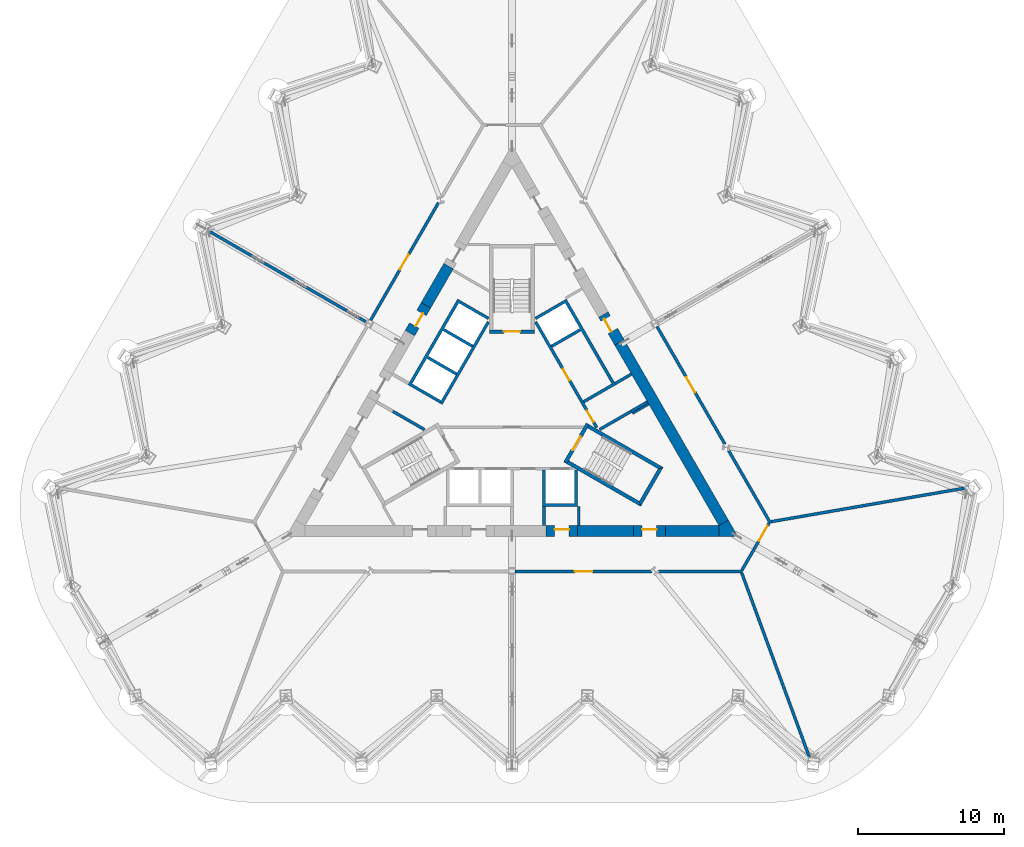
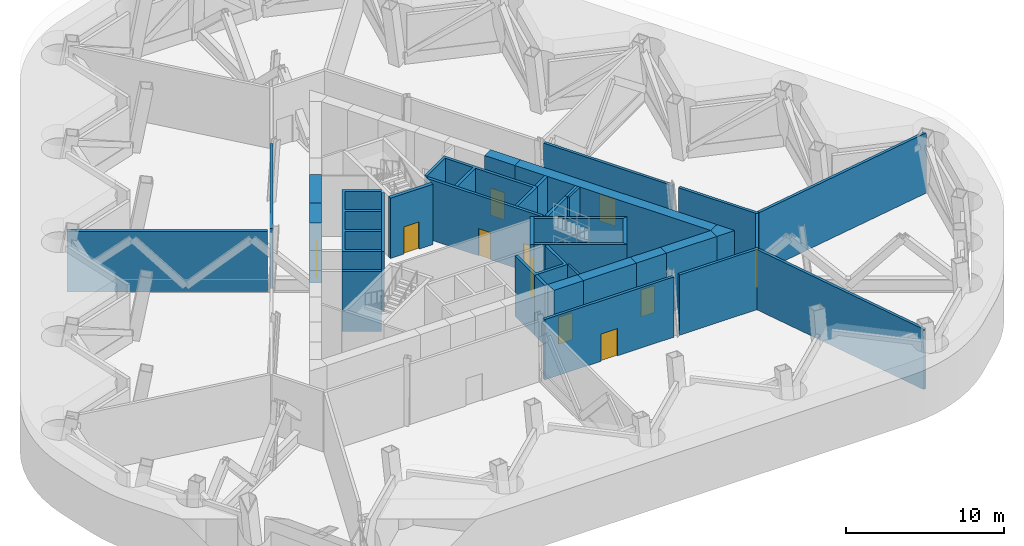
# One storey, part 6 of 13: 35 walls, 12 doors, 12 openings.
"""IFC4 building model written with IfcOpenShell, lengths in metres."""

from ifc_helpers import new_model, si_unit, direction, frame, frame_2d, origin, place, context, subcontext, project, spatial, polyline, rectangle, outline, extrude, material, layer, layer_set, type_object, element, fill, save


model = new_model("IFC4")

# Units and contexts
model_context = context("Model", 3, precision=1e-05, world=origin(), true_north=direction((0.0, 1.0)))
body_context = subcontext(model_context, "Body", "Model", "MODEL_VIEW")
ifc_project = project(units=[si_unit("LENGTHUNIT", "METRE"), si_unit("AREAUNIT", "SQUARE_METRE"), si_unit("VOLUMEUNIT", "CUBIC_METRE"), si_unit("PLANEANGLEUNIT", "RADIAN"), si_unit("MASSUNIT", "GRAM", prefix="KILO")], contexts=[model_context])

# Site, building, storey
site_placement = place(None, origin())
site = spatial("IfcSite", under=ifc_project, at=site_placement, CompositionType="ELEMENT")
building_placement = place(site_placement, origin())
building = spatial("IfcBuilding", under=site, at=building_placement, Name="Cormorant Prow Tower", CompositionType="ELEMENT")
storey_placement = place(building_placement, frame((0.0, 0.0, 226.0)))
storey = spatial("IfcBuildingStorey", under=building, at=storey_placement, Name="L49", CompositionType="ELEMENT", Elevation=226.0)

# Walls
ifc_material_1 = material(Name="Gypsum board partition")
ifc_layer_1 = layer(ifc_material_1, 0.14990234375)
ifc_layer_set_1 = layer_set([ifc_layer_1], Name="Gypsum board partition")
wall_type_1 = type_object("IfcWallType", Name="Core partition 150", PredefinedType="PARTITIONING", material=ifc_layer_set_1)
for number, where, z_axis, x_axis, name in (
    (1, (4.574951171875, -6.906005859375, 0.0), (0.0, 0.0, 1.0), (0.0, -1.0, 0.0), "Service room partition"),
    (2, (8.268310546875, -0.509033203125, 0.0), (0.0, 0.0, 1.0), (0.866003189247, 0.500038474733, 0.0), "Service room partition"),
):
    element("IfcWall", number, at=place(storey_placement, frame(where, z_axis=z_axis, x_axis=x_axis)), inside=storey, type_object=wall_type_1, Name=name, PredefinedType="PARTITIONING", context=body_context, shape_type="SweptSolid", body=[
        extrude(rectangle(XDim=1.29296875, YDim=0.14990234375, at=frame_2d((0.646484375, 0.0))), origin(), (0.0, 0.0, 1.0), 4.64990234375),
    ])
ifc_material_2 = material(Name="Concrete 8000 psi", Category="concrete")
ifc_layer_2 = layer(ifc_material_2, 0.75)
ifc_layer_set_2 = layer_set([ifc_layer_2], Name="Concrete 8000 psi")
wall_type_2 = type_object("IfcWallType", Name="Core shear wall 750", PredefinedType="SHEAR", material=ifc_layer_set_2)
wall_1_placement = place(storey_placement, frame((4.47998046875, -8.573974609375, 0.0), z_axis=(0.0, 0.0, 1.0), x_axis=(1.0, 0.0, 0.0)))
element("IfcWall", 3, at=wall_1_placement, inside=storey, type_object=wall_type_2, Name="Core wall", PredefinedType="SHEAR", context=body_context, shape_type="SweptSolid", body=[
    extrude(rectangle(XDim=3.845458984375, YDim=0.75, at=frame_2d((1.9228515625, 0.0))), origin(), (0.0, 0.0, 1.0), 4.64990234375),
])
wall_2_placement = place(storey_placement, frame((10.525390625, -8.573974609375, 0.0), z_axis=(0.0, 0.0, 1.0), x_axis=(1.0, 0.0, 0.0)))
element("IfcWall", 4, at=wall_2_placement, inside=storey, type_object=wall_type_2, Name="Core wall", PredefinedType="SHEAR", context=body_context, shape_type="SweptSolid", body=[
    extrude(rectangle(XDim=3.675537109375, YDim=0.75, at=frame_2d((1.837890625, 0.0))), origin(), (0.0, 0.0, 1.0), 4.64990234375),
])
wall_3_placement = place(storey_placement, frame((14.525634765625, -8.011474609375, 0.0), z_axis=(0.0, 0.0, 1.0), x_axis=(-0.499994855372, 0.866028374016, 0.0)))
element("IfcWall", 5, at=wall_3_placement, inside=storey, type_object=wall_type_2, Name="Core wall", PredefinedType="SHEAR", context=body_context, shape_type="SweptSolid", body=[
    extrude(rectangle(XDim=14.301025390625, YDim=0.75, at=frame_2d((7.150390625, 0.0))), origin(), (0.0, 0.0, 1.0), 4.64990234375),
])
wall_4_placement = place(storey_placement, frame((-4.3525390625, 9.609130859375, 0.0), z_axis=(0.0, 0.0, 1.0), x_axis=(-0.500017123375, -0.866015517374, 0.0)))
element("IfcWall", 6, at=wall_4_placement, inside=storey, type_object=wall_type_2, Name="Core wall", PredefinedType="SHEAR", context=body_context, shape_type="SweptSolid", body=[
    extrude(rectangle(XDim=3.10791015625, YDim=0.75, at=frame_2d((1.553955078125, 0.0))), origin(), (0.0, 0.0, 1.0), 4.64990234375),
])
wall_5_placement = place(storey_placement, origin())
element("IfcWall", 7, at=wall_5_placement, inside=storey, type_object=wall_type_2, Name="Core wall corner", PredefinedType="SHEAR", context=body_context, shape_type="SweptSolid", body=[
    extrude(outline(polyline([(14.200927734375, -8.948974609375), (14.200927734375, -8.198974609375), (14.8505859375, -7.823974609375), (15.5, -8.948974609375), (14.200927734375, -8.948974609375)])), origin(), (0.0, 0.0, 1.0), 4.64990234375),
])

# Wall, opening, door
wall_6_placement = place(storey_placement, frame((2.320068359375, -8.573974609375, 0.0), z_axis=(0.0, 0.0, 1.0), x_axis=(1.0, 0.0, 0.0)))
wall_6 = element("IfcWall", 8, at=wall_6_placement, inside=storey, type_object=wall_type_2, Name="Core wall door panel", PredefinedType="SHEAR", context=body_context, shape_type="SweptSolid", body=[
    extrude(rectangle(XDim=2.159912109375, YDim=0.75, at=frame_2d((1.080078125, 0.0))), origin(), (0.0, 0.0, 1.0), 4.64990234375),
])
opening_1_placement = place(wall_6_placement, frame((0.60009765625, 0.0, 0.0)))
opening_1 = element("IfcOpeningElement", 9, at=opening_1_placement, cuts=wall_6, Name="Opening L49-C12", PredefinedType="OPENING", context=body_context, shape_type="SweptSolid", body=[
    extrude(rectangle(XDim=1.0, YDim=2.10009765625, at=frame_2d((0.5, 1.050048828125))), frame((0.0, 0.385009765625, 0.0), z_axis=(0.0, -1.0, 0.0), x_axis=(1.0, 0.0, 0.0)), (0.0, 0.0, 1.0), 0.77001953125),
])
ifc_material_3 = material(Name="Painted steel", Category="steel")
door_type_1 = type_object("IfcDoorType", Name="Service door 1000x2100", OperationType="NOTDEFINED", PredefinedType="DOOR", material=ifc_material_3)
door_1_placement = place(opening_1_placement, origin())
door_1 = element("IfcDoor", 10, at=door_1_placement, inside=storey, type_object=door_type_1, Name="Core door, Telecom plant room", OperationType="SINGLE_SWING_LEFT", OverallHeight=2.10009765625, OverallWidth=1.0, PredefinedType="DOOR", context=body_context, shape_type="SweptSolid", body=[
    extrude(rectangle(XDim=1.0, YDim=2.10009765625, at=frame_2d((0.5, 1.050048828125))), frame((0.0, 0.1298828125, 0.0), z_axis=(0.0, -1.0, 0.0), x_axis=(1.0, 0.0, 0.0)), (0.0, 0.0, 1.0), 0.050048828125),
])
fill(opening_1, door_1)

wall_7_placement = place(storey_placement, frame((8.325439453125, -8.573974609375, 0.0), z_axis=(0.0, 0.0, 1.0), x_axis=(1.0, 0.0, 0.0)))
wall_7 = element("IfcWall", 11, at=wall_7_placement, inside=storey, type_object=wall_type_2, Name="Core wall door panel", PredefinedType="SHEAR", context=body_context, shape_type="SweptSolid", body=[
    extrude(rectangle(XDim=2.199951171875, YDim=0.75, at=frame_2d((1.10009765625, 0.0))), origin(), (0.0, 0.0, 1.0), 4.64990234375),
])
opening_2_placement = place(wall_7_placement, frame((0.60009765625, 0.0, 0.0)))
opening_2 = element("IfcOpeningElement", 12, at=opening_2_placement, cuts=wall_7, Name="Opening L49-C14", PredefinedType="OPENING", context=body_context, shape_type="SweptSolid", body=[
    extrude(rectangle(XDim=1.0, YDim=2.10009765625, at=frame_2d((0.5, 1.050048828125))), frame((0.0, 0.385009765625, 0.0), z_axis=(0.0, -1.0, 0.0), x_axis=(1.0, 0.0, 0.0)), (0.0, 0.0, 1.0), 0.77001953125),
])
door_2_placement = place(opening_2_placement, origin())
door_2 = element("IfcDoor", 13, at=door_2_placement, inside=storey, type_object=door_type_1, Name="Core door, Plant cleaners store", OperationType="SINGLE_SWING_RIGHT", OverallHeight=2.10009765625, OverallWidth=1.0, PredefinedType="DOOR", context=body_context, shape_type="SweptSolid", body=[
    extrude(rectangle(XDim=1.0, YDim=2.10009765625, at=frame_2d((0.5, 1.050048828125))), frame((0.0, 0.1298828125, 0.0), z_axis=(0.0, -1.0, 0.0), x_axis=(1.0, 0.0, 0.0)), (0.0, 0.0, 1.0), 0.050048828125),
])
fill(opening_2, door_2)

wall_8_placement = place(storey_placement, frame((7.375244140625, 4.37353515625, 0.0), z_axis=(0.0, 0.0, 1.0), x_axis=(-0.499946605688, 0.86605622881, 0.0)))
wall_8 = element("IfcWall", 14, at=wall_8_placement, inside=storey, type_object=wall_type_2, Name="Core wall door panel", PredefinedType="SHEAR", context=body_context, shape_type="SweptSolid", body=[
    extrude(rectangle(XDim=2.199951171875, YDim=0.75, at=frame_2d((1.10009765625, 0.0))), origin(), (0.0, 0.0, 1.0), 4.64990234375),
])
opening_3_placement = place(wall_8_placement, frame((0.89990234375, 0.0, 0.0)))
opening_3 = element("IfcOpeningElement", 15, at=opening_3_placement, cuts=wall_8, Name="Opening L49-C15", PredefinedType="OPENING", context=body_context, shape_type="SweptSolid", body=[
    extrude(rectangle(XDim=1.0, YDim=2.10009765625, at=frame_2d((0.5, 1.050048828125))), frame((0.0, 0.385009765625, 0.0), z_axis=(0.0, -1.0, 0.0), x_axis=(1.0, 0.0, 0.0)), (0.0, 0.0, 1.0), 0.77001953125),
])
door_3_placement = place(opening_3_placement, origin())
door_3 = element("IfcDoor", 16, at=door_3_placement, inside=storey, type_object=door_type_1, Name="Core door, Electrical switch room", OperationType="SINGLE_SWING_RIGHT", OverallHeight=2.10009765625, OverallWidth=1.0, PredefinedType="DOOR", context=body_context, shape_type="SweptSolid", body=[
    extrude(rectangle(XDim=1.0, YDim=2.10009765625, at=frame_2d((0.5, 1.050048828125))), frame((0.0, 0.1298828125, 0.0), z_axis=(0.0, -1.0, 0.0), x_axis=(1.0, 0.0, 0.0)), (0.0, 0.0, 1.0), 0.050048828125),
])
fill(opening_3, door_3)

wall_9_placement = place(storey_placement, frame((-5.906494140625, 6.917724609375, 0.0), z_axis=(0.0, 0.0, 1.0), x_axis=(-0.499946605688, -0.86605622881, 0.0)))
wall_9 = element("IfcWall", 17, at=wall_9_placement, inside=storey, type_object=wall_type_2, Name="Core wall door panel", PredefinedType="SHEAR", context=body_context, shape_type="SweptSolid", body=[
    extrude(rectangle(XDim=2.199951171875, YDim=0.75, at=frame_2d((1.10009765625, 0.0))), origin(), (0.0, 0.0, 1.0), 4.64990234375),
])
opening_4_placement = place(wall_9_placement, frame((0.60009765625, 0.0, 0.0)))
opening_4 = element("IfcOpeningElement", 18, at=opening_4_placement, cuts=wall_9, Name="Opening L49-C16", PredefinedType="OPENING", context=body_context, shape_type="SweptSolid", body=[
    extrude(rectangle(XDim=1.0, YDim=2.10009765625, at=frame_2d((0.5, 1.050048828125))), frame((0.0, 0.385009765625, 0.0), z_axis=(0.0, -1.0, 0.0), x_axis=(1.0, 0.0, 0.0)), (0.0, 0.0, 1.0), 0.77001953125),
])
door_4_placement = place(opening_4_placement, origin())
door_4 = element("IfcDoor", 19, at=door_4_placement, inside=storey, type_object=door_type_1, Name="Core door, Telecom plant room", OperationType="SINGLE_SWING_RIGHT", OverallHeight=2.10009765625, OverallWidth=1.0, PredefinedType="DOOR", context=body_context, shape_type="SweptSolid", body=[
    extrude(rectangle(XDim=1.0, YDim=2.10009765625, at=frame_2d((0.5, 1.050048828125))), frame((0.0, 0.1298828125, 0.0), z_axis=(0.0, -1.0, 0.0), x_axis=(1.0, 0.0, 0.0)), (0.0, 0.0, 1.0), 0.050048828125),
])
fill(opening_4, door_4)

ifc_material_4 = material(Name="Gypsum board corridor wall")
ifc_layer_3 = layer(ifc_material_4, 0.199951171875)
ifc_layer_set_3 = layer_set([ifc_layer_3], Name="Gypsum board corridor wall")
wall_type_3 = type_object("IfcWallType", Name="Corridor wall 200", PredefinedType="PARTITIONING", material=ifc_layer_set_3)
wall_10_placement = place(storey_placement, frame((0.213623046875, -11.348876953125, 0.0), z_axis=(0.0, 0.0, 1.0), x_axis=(1.0, 0.0, 0.0)))
wall_10 = element("IfcWall", 20, at=wall_10_placement, inside=storey, type_object=wall_type_3, Name="Corridor wall", PredefinedType="PARTITIONING", context=body_context, shape_type="SweptSolid", body=[
    extrude(rectangle(XDim=9.401123046875, YDim=0.199951171875, at=frame_2d((4.70068359375, 0.0))), origin(), (0.0, 0.0, 1.0), 4.64990234375),
])
opening_5_placement = place(wall_10_placement, frame((4.1005859375, 0.0, 0.0)))
opening_5 = element("IfcOpeningElement", 21, at=opening_5_placement, cuts=wall_10, Name="Opening L49-F02", PredefinedType="OPENING", context=body_context, shape_type="SweptSolid", body=[
    extrude(rectangle(XDim=1.199951171875, YDim=2.10009765625, at=frame_2d((0.60009765625, 1.050048828125))), frame((0.0, 0.10986328125, 0.0), z_axis=(0.0, -1.0, 0.0), x_axis=(1.0, 0.0, 0.0)), (0.0, 0.0, 1.0), 0.219970703125),
])
ifc_material_5 = material(Name="Timber door leaf", Category="wood")
door_type_2 = type_object("IfcDoorType", Name="Plant room door 1200x2100", OperationType="NOTDEFINED", PredefinedType="DOOR", material=ifc_material_5)
door_5_placement = place(opening_5_placement, origin())
door_5 = element("IfcDoor", 22, at=door_5_placement, inside=storey, type_object=door_type_2, Name="Pump and tank room door", OperationType="SINGLE_SWING_RIGHT", OverallHeight=2.10009765625, OverallWidth=1.199951171875, PredefinedType="DOOR", context=body_context, shape_type="SweptSolid", body=[
    extrude(rectangle(XDim=1.199951171875, YDim=2.10009765625, at=frame_2d((0.60009765625, 1.050048828125))), frame((0.0, 0.02490234375, 0.0), z_axis=(0.0, -1.0, 0.0), x_axis=(1.0, 0.0, 0.0)), (0.0, 0.0, 1.0), 0.050048828125),
])
fill(opening_5, door_5)

wall_11_placement = place(storey_placement, frame((-9.705078125, 5.88818359375, 0.0), z_axis=(0.0, 0.0, 1.0), x_axis=(0.50000393355, 0.866023132736, 0.0)))
wall_11 = element("IfcWall", 23, at=wall_11_placement, inside=storey, type_object=wall_type_3, Name="Corridor wall", PredefinedType="PARTITIONING", context=body_context, shape_type="SweptSolid", body=[
    extrude(rectangle(XDim=9.3349609375, YDim=0.199951171875, at=frame_2d((4.66748046875, 0.0))), origin(), (0.0, 0.0, 1.0), 4.64990234375),
])
opening_6_placement = place(wall_11_placement, frame((4.017333984375, 0.0, 0.0)))
opening_6 = element("IfcOpeningElement", 24, at=opening_6_placement, cuts=wall_11, Name="Opening L49-F07", PredefinedType="OPENING", context=body_context, shape_type="SweptSolid", body=[
    extrude(rectangle(XDim=1.199951171875, YDim=2.10009765625, at=frame_2d((0.60009765625, 1.050048828125))), frame((0.0, 0.10986328125, 0.0), z_axis=(0.0, -1.0, 0.0), x_axis=(1.0, 0.0, 0.0)), (0.0, 0.0, 1.0), 0.219970703125),
])
door_6_placement = place(opening_6_placement, origin())
door_6 = element("IfcDoor", 25, at=door_6_placement, inside=storey, type_object=door_type_2, Name="Sprinkler pump room door", OperationType="SINGLE_SWING_LEFT", OverallHeight=2.10009765625, OverallWidth=1.199951171875, PredefinedType="DOOR", context=body_context, shape_type="SweptSolid", body=[
    extrude(rectangle(XDim=1.199951171875, YDim=2.10009765625, at=frame_2d((0.60009765625, 1.050048828125))), frame((0.0, 0.02490234375, 0.0), z_axis=(0.0, -1.0, 0.0), x_axis=(1.0, 0.0, 0.0)), (0.0, 0.0, 1.0), 0.050048828125),
])
fill(opening_6, door_6)

wall_12_placement = place(storey_placement, frame((9.951904296875, 5.460693359375, 0.0), z_axis=(0.0, 0.0, 1.0), x_axis=(0.50000393355, -0.866023132736, 0.0)))
wall_12 = element("IfcWall", 26, at=wall_12_placement, inside=storey, type_object=wall_type_3, Name="Corridor wall", PredefinedType="PARTITIONING", context=body_context, shape_type="SweptSolid", body=[
    extrude(rectangle(XDim=9.3349609375, YDim=0.199951171875, at=frame_2d((4.66748046875, 0.0))), origin(), (0.0, 0.0, 1.0), 4.64990234375),
])
opening_7_placement = place(wall_12_placement, frame((4.017333984375, 0.0, 0.0)))
opening_7 = element("IfcOpeningElement", 27, at=opening_7_placement, cuts=wall_12, Name="Opening L49-F06", PredefinedType="OPENING", context=body_context, shape_type="SweptSolid", body=[
    extrude(rectangle(XDim=1.199951171875, YDim=2.10009765625, at=frame_2d((0.60009765625, 1.050048828125))), frame((0.0, 0.10986328125, 0.0), z_axis=(0.0, -1.0, 0.0), x_axis=(1.0, 0.0, 0.0)), (0.0, 0.0, 1.0), 0.219970703125),
])
door_7_placement = place(opening_7_placement, origin())
door_7 = element("IfcDoor", 28, at=door_7_placement, inside=storey, type_object=door_type_2, Name="Generator room door", OperationType="SINGLE_SWING_LEFT", OverallHeight=2.10009765625, OverallWidth=1.199951171875, PredefinedType="DOOR", context=body_context, shape_type="SweptSolid", body=[
    extrude(rectangle(XDim=1.199951171875, YDim=2.10009765625, at=frame_2d((0.60009765625, 1.050048828125))), frame((0.0, 0.02490234375, 0.0), z_axis=(0.0, -1.0, 0.0), x_axis=(1.0, 0.0, 0.0)), (0.0, 0.0, 1.0), 0.050048828125),
])
fill(opening_7, door_7)

# Walls
wall_13_placement = place(storey_placement, frame((10.042236328125, -11.348876953125, 0.0), z_axis=(0.0, 0.0, 1.0), x_axis=(1.0, 0.0, 0.0)))
element("IfcWall", 29, at=wall_13_placement, inside=storey, type_object=wall_type_3, Name="Corridor wall", PredefinedType="PARTITIONING", context=body_context, shape_type="SweptSolid", body=[
    extrude(rectangle(XDim=5.78857421875, YDim=0.199951171875, at=frame_2d((2.894287109375, 0.0))), origin(), (0.0, 0.0, 1.0), 4.64990234375),
])
wall_14_placement = place(storey_placement, frame((14.8662109375, -3.05078125, 0.0), z_axis=(0.0, 0.0, 1.0), x_axis=(0.499975807604, -0.86603937082, 0.0)))
element("IfcWall", 30, at=wall_14_placement, inside=storey, type_object=wall_type_3, Name="Corridor wall", PredefinedType="PARTITIONING", context=body_context, shape_type="SweptSolid", body=[
    extrude(rectangle(XDim=5.755615234375, YDim=0.199951171875, at=frame_2d((2.8779296875, 0.0))), origin(), (0.0, 0.0, 1.0), 4.64990234375),
])

# Wall, opening, door
wall_15_placement = place(storey_placement, frame((15.781005859375, -11.26220703125, 0.0), z_axis=(0.0, 0.0, 1.0), x_axis=(0.499958791762, 0.866049194065, 0.0)))
wall_15 = element("IfcWall", 31, at=wall_15_placement, inside=storey, type_object=wall_type_3, Name="Corridor wall", PredefinedType="PARTITIONING", context=body_context, shape_type="SweptSolid", body=[
    extrude(rectangle(XDim=3.725830078125, YDim=0.199951171875, at=frame_2d((1.86279296875, 0.0))), origin(), (0.0, 0.0, 1.0), 4.64990234375),
])
opening_8_placement = place(wall_15_placement, frame((2.324951171875, 0.0, 0.0)))
opening_8 = element("IfcOpeningElement", 32, at=opening_8_placement, cuts=wall_15, Name="Opening L49-F04", PredefinedType="OPENING", context=body_context, shape_type="SweptSolid", body=[
    extrude(rectangle(XDim=1.199951171875, YDim=2.10009765625, at=frame_2d((0.60009765625, 1.050048828125))), frame((0.0, 0.10986328125, 0.0), z_axis=(0.0, -1.0, 0.0), x_axis=(1.0, 0.0, 0.0)), (0.0, 0.0, 1.0), 0.219970703125),
])
door_8_placement = place(opening_8_placement, origin())
door_8 = element("IfcDoor", 33, at=door_8_placement, inside=storey, type_object=door_type_2, Name="Telecoms and server room door", OperationType="SINGLE_SWING_RIGHT", OverallHeight=2.10009765625, OverallWidth=1.199951171875, PredefinedType="DOOR", context=body_context, shape_type="SweptSolid", body=[
    extrude(rectangle(XDim=1.199951171875, YDim=2.10009765625, at=frame_2d((0.60009765625, 1.050048828125))), frame((0.0, 0.02490234375, 0.0), z_axis=(0.0, -1.0, 0.0), x_axis=(1.0, 0.0, 0.0)), (0.0, 0.0, 1.0), 0.050048828125),
])
fill(opening_8, door_8)

# Walls
ifc_material_6 = material(Name="Gypsum board demising wall")
ifc_layer_4 = layer(ifc_material_6, 0.199951171875)
ifc_layer_set_4 = layer_set([ifc_layer_4], Name="Gypsum board demising wall")
wall_type_4 = type_object("IfcWallType", Name="Demising wall 200", PredefinedType="PARTITIONING", material=ifc_layer_set_4)
wall_16_placement = place(storey_placement, frame((17.79248046875, -7.931884765625, 0.0), z_axis=(0.0, 0.0, 1.0), x_axis=(0.985288995773, 0.170896444691, 0.0)))
element("IfcWall", 34, at=wall_16_placement, inside=storey, type_object=wall_type_4, Name="Demising wall", PredefinedType="PARTITIONING", context=body_context, shape_type="SweptSolid", body=[
    extrude(rectangle(XDim=13.73876953125, YDim=0.199951171875, at=frame_2d((6.869384765625, 0.0))), origin(), (0.0, 0.0, 1.0), 4.64990234375),
])
wall_17_placement = place(storey_placement, frame((15.765380859375, -11.44287109375, 0.0), z_axis=(0.0, 0.0, 1.0), x_axis=(0.344647088239, -0.938732328498, 0.0)))
element("IfcWall", 35, at=wall_17_placement, inside=storey, type_object=wall_type_4, Name="Demising wall", PredefinedType="PARTITIONING", context=body_context, shape_type="SweptSolid", body=[
    extrude(rectangle(XDim=13.70849609375, YDim=0.199951171875, at=frame_2d((6.854248046875, 0.0))), origin(), (0.0, 0.0, 1.0), 4.64990234375),
])
wall_18_placement = place(storey_placement, frame((-20.99951171875, 12.1240234375, 0.0), z_axis=(0.0, 0.0, 1.0), x_axis=(0.866025883649, -0.499999168849, 0.0)))
element("IfcWall", 36, at=wall_18_placement, inside=storey, type_object=wall_type_4, Name="Demising wall", PredefinedType="PARTITIONING", context=body_context, shape_type="SweptSolid", body=[
    extrude(rectangle(XDim=12.65234375, YDim=0.199951171875, at=frame_2d((6.326171875, 0.0))), origin(), (0.0, 0.0, 1.0), 4.64990234375),
])

# Wall, openings, doors
ifc_material_7 = material(Name="Concrete 5000 psi", Category="concrete")
ifc_layer_5 = layer(ifc_material_7, 0.199951171875)
ifc_layer_set_5 = layer_set([ifc_layer_5], Name="Concrete 5000 psi")
wall_type_5 = type_object("IfcWallType", Name="Lift lobby wall 200", PredefinedType="SOLIDWALL", material=ifc_layer_set_5)
wall_19_placement = place(storey_placement, frame((5.817138671875, -1.4755859375, 0.0), z_axis=(0.0, 0.0, 1.0), x_axis=(-0.500002616675, 0.866023893041, 0.0)))
wall_19 = element("IfcWall", 37, at=wall_19_placement, inside=storey, type_object=wall_type_5, Name="Lift lobby wall, ENE block", PredefinedType="SOLIDWALL", context=body_context, shape_type="SweptSolid", body=[
    extrude(rectangle(XDim=8.373046875, YDim=0.199951171875, at=frame_2d((4.1865234375, 0.0))), origin(), (0.0, 0.0, 1.0), 4.64990234375),
])
opening_9_placement = place(wall_19_placement, frame((0.4365234375, 0.0, 0.0)))
opening_9 = element("IfcOpeningElement", 38, at=opening_9_placement, cuts=wall_19, Name="Opening L49-C05", PredefinedType="OPENING", context=body_context, shape_type="SweptSolid", body=[
    extrude(rectangle(XDim=0.89990234375, YDim=2.10009765625, at=frame_2d((0.449951171875, 1.050048828125))), frame((0.0, 0.10986328125, 0.0), z_axis=(0.0, -1.0, 0.0), x_axis=(1.0, 0.0, 0.0)), (0.0, 0.0, 1.0), 0.219970703125),
])
opening_10_placement = place(wall_19_placement, frame((3.736572265625, 0.0, 0.0)))
opening_10 = element("IfcOpeningElement", 39, at=opening_10_placement, cuts=wall_19, Name="Opening L49-C06", PredefinedType="OPENING", context=body_context, shape_type="SweptSolid", body=[
    extrude(rectangle(XDim=0.89990234375, YDim=2.10009765625, at=frame_2d((0.449951171875, 1.050048828125))), frame((0.0, 0.10986328125, 0.0), z_axis=(0.0, -1.0, 0.0), x_axis=(1.0, 0.0, 0.0)), (0.0, 0.0, 1.0), 0.219970703125),
])
ifc_material_8 = material(Name="Painted steel", Category="steel")
door_type_3 = type_object("IfcDoorType", Name="Service door 900x2100", OperationType="NOTDEFINED", PredefinedType="DOOR", material=ifc_material_8)
door_9_placement = place(opening_9_placement, origin())
door_9 = element("IfcDoor", 40, at=door_9_placement, inside=storey, type_object=door_type_3, Name="Service door, Plant spares store", OperationType="SINGLE_SWING_LEFT", OverallHeight=2.10009765625, OverallWidth=0.89990234375, PredefinedType="DOOR", context=body_context, shape_type="SweptSolid", body=[
    extrude(rectangle(XDim=0.89990234375, YDim=2.10009765625, at=frame_2d((0.449951171875, 1.050048828125))), frame((0.0, 0.02490234375, 0.0), z_axis=(0.0, -1.0, 0.0), x_axis=(1.0, 0.0, 0.0)), (0.0, 0.0, 1.0), 0.050048828125),
])
fill(opening_9, door_9)
door_10_placement = place(opening_10_placement, origin())
door_10 = element("IfcDoor", 41, at=door_10_placement, inside=storey, type_object=door_type_3, Name="Service door, Plant waste store", OperationType="SINGLE_SWING_LEFT", OverallHeight=2.10009765625, OverallWidth=0.89990234375, PredefinedType="DOOR", context=body_context, shape_type="SweptSolid", body=[
    extrude(rectangle(XDim=0.89990234375, YDim=2.10009765625, at=frame_2d((0.449951171875, 1.050048828125))), frame((0.0, 0.02490234375, 0.0), z_axis=(0.0, -1.0, 0.0), x_axis=(1.0, 0.0, 0.0)), (0.0, 0.0, 1.0), 0.050048828125),
])
fill(opening_10, door_10)

# Walls
wall_20_placement = place(storey_placement, frame((-1.630615234375, 5.775634765625, 0.0), z_axis=(0.0, 0.0, 1.0), x_axis=(-0.499992876559, -0.866029516466, 0.0)))
element("IfcWall", 42, at=wall_20_placement, inside=storey, type_object=wall_type_5, Name="Lift lobby wall, WNW block", PredefinedType="SOLIDWALL", context=body_context, shape_type="SweptSolid", body=[
    extrude(rectangle(XDim=6.486328125, YDim=0.199951171875, at=frame_2d((3.2431640625, 0.0))), origin(), (0.0, 0.0, 1.0), 4.64990234375),
])
ifc_material_9 = material(Name="Concrete 8000 psi", Category="concrete")
ifc_layer_6 = layer(ifc_material_9, 0.199951171875)
ifc_layer_set_6 = layer_set([ifc_layer_6], Name="Concrete 8000 psi")
wall_type_6 = type_object("IfcWallType", Name="Lift shaft wall 200", PredefinedType="SHEAR", material=ifc_layer_set_6)
wall_21_placement = place(storey_placement, origin())
element("IfcWall", 43, at=wall_21_placement, inside=storey, type_object=wall_type_6, Name="Lift shaft walls, S block", PredefinedType="SHEAR", context=body_context, shape_type="SweptSolid", body=[
    extrude(outline(polyline([(4.5, -4.39990234375), (4.5, -6.906005859375), (2.10009765625, -6.906005859375), (2.10009765625, -4.39990234375), (2.300048828125, -4.39990234375), (2.300048828125, -6.699951171875), (4.300048828125, -6.699951171875), (4.300048828125, -4.39990234375), (4.5, -4.39990234375)])), origin(), (0.0, 0.0, 1.0), 4.64990234375),
])
wall_22_placement = place(storey_placement, frame((2.199951171875, -6.906005859375, 0.0), z_axis=(0.0, 0.0, 1.0), x_axis=(0.0, -1.0, 0.0)))
element("IfcWall", 44, at=wall_22_placement, inside=storey, type_object=wall_type_6, Name="Store side wall", PredefinedType="SHEAR", context=body_context, shape_type="SweptSolid", body=[
    extrude(rectangle(XDim=1.29296875, YDim=0.199951171875, at=frame_2d((0.646484375, 0.0))), origin(), (0.0, 0.0, 1.0), 4.64990234375),
])
wall_23_placement = place(storey_placement, origin())
element("IfcWall", 45, at=wall_23_placement, inside=storey, type_object=wall_type_6, Name="Lift shaft walls, ENE block", PredefinedType="SHEAR", context=body_context, shape_type="SweptSolid", body=[
    extrude(outline(polyline([(1.560546875, 6.09716796875), (3.730712890625, 7.35009765625), (7.130859375, 1.461181640625), (4.96044921875, 0.2080078125), (4.860595703125, 0.38134765625), (6.852294921875, 1.53125), (4.75244140625, 5.168701171875), (2.760498046875, 4.018798828125), (2.660400390625, 4.19189453125), (4.65234375, 5.341796875), (3.65234375, 7.073974609375), (1.660400390625, 5.923828125), (1.560546875, 6.09716796875)])), origin(), (0.0, 0.0, 1.0), 4.64990234375),
])
wall_24_placement = place(storey_placement, origin())
element("IfcWall", 46, at=wall_24_placement, inside=storey, type_object=wall_type_6, Name="Lift shaft walls, ENE block", PredefinedType="SHEAR", context=body_context, shape_type="SweptSolid", body=[
    extrude(outline(polyline([(8.230712890625, -0.444091796875), (6.060546875, -1.697021484375), (5.96044921875, -1.52392578125), (8.130859375, -0.27099609375), (8.230712890625, -0.444091796875)])), origin(), (0.0, 0.0, 1.0), 4.64990234375),
])
for number, where, z_axis, x_axis, name in (
    (47, (8.180908203125, -0.357421875, 0.0), (0.0, 0.0, 1.0), (0.866003189247, 0.500038474733, 0.0), "Store side wall"),
    (48, (7.080810546875, 1.547607421875, 0.0), (0.0, 0.0, 1.0), (0.866003189247, 0.500038474733, 0.0), "Store side wall"),
):
    element("IfcWall", number, at=place(storey_placement, frame(where, z_axis=z_axis, x_axis=x_axis)), inside=storey, type_object=wall_type_6, Name=name, PredefinedType="SHEAR", context=body_context, shape_type="SweptSolid", body=[
        extrude(rectangle(XDim=1.29296875, YDim=0.199951171875, at=frame_2d((0.646484375, 0.0))), origin(), (0.0, 0.0, 1.0), 4.64990234375),
    ])
wall_25_placement = place(storey_placement, origin())
element("IfcWall", 49, at=wall_25_placement, inside=storey, type_object=wall_type_6, Name="Lift shaft walls, WNW block", PredefinedType="SHEAR", context=body_context, shape_type="SweptSolid", body=[
    extrude(outline(polyline([(-6.060546875, -1.697021484375), (-8.230712890625, -0.444091796875), (-8.130859375, -0.27099609375), (-5.96044921875, -1.52392578125), (-6.060546875, -1.697021484375)])), origin(), (0.0, 0.0, 1.0), 4.64990234375),
])
wall_26_placement = place(storey_placement, origin())
element("IfcWall", 50, at=wall_26_placement, inside=storey, type_object=wall_type_6, Name="Lift shaft walls, WNW block", PredefinedType="SHEAR", context=body_context, shape_type="SweptSolid", body=[
    extrude(outline(polyline([(-4.96044921875, 0.2080078125), (-7.130859375, 1.461181640625), (-3.730712890625, 7.35009765625), (-1.560546875, 6.09716796875), (-1.660400390625, 5.923828125), (-3.65234375, 7.073974609375), (-4.65234375, 5.341796875), (-2.660400390625, 4.19189453125), (-2.760498046875, 4.018798828125), (-4.75244140625, 5.168701171875), (-5.75244140625, 3.4365234375), (-3.760498046875, 2.28662109375), (-3.860595703125, 2.11328125), (-5.852294921875, 3.263427734375), (-6.852294921875, 1.53125), (-4.860595703125, 0.38134765625), (-4.96044921875, 0.2080078125)])), origin(), (0.0, 0.0, 1.0), 4.64990234375),
])
ifc_material_10 = material(Name="Concrete 8000 psi", Category="concrete")
ifc_layer_7 = layer(ifc_material_10, 0.25)
ifc_layer_set_7 = layer_set([ifc_layer_7], Name="Concrete 8000 psi")
wall_type_7 = type_object("IfcWallType", Name="Stair wall 250", PredefinedType="SHEAR", material=ifc_layer_set_7)
wall_27_placement = place(storey_placement, origin())
element("IfcWall", 51, at=wall_27_placement, inside=storey, type_object=wall_type_7, Name="Stair ST2 enclosure wall (flank)", PredefinedType="SHEAR", context=body_context, shape_type="SweptSolid", body=[
    extrude(outline(polyline([(3.76318359375, -3.95556640625), (8.82958984375, -6.880615234375), (8.738037109375, -6.5390625), (3.88818359375, -3.739013671875), (3.76318359375, -3.95556640625)])), origin(), (0.0, 0.0, 1.0), 4.64990234375),
])
wall_28_placement = place(storey_placement, origin())
element("IfcWall", 52, at=wall_28_placement, inside=storey, type_object=wall_type_7, Name="Stair ST2 enclosure wall (end)", PredefinedType="SHEAR", context=body_context, shape_type="SweptSolid", body=[
    extrude(outline(polyline([(8.82958984375, -6.880615234375), (10.37353515625, -4.206298828125), (10.031982421875, -4.2978515625), (8.738037109375, -6.5390625), (8.82958984375, -6.880615234375)])), origin(), (0.0, 0.0, 1.0), 4.64990234375),
])
wall_29_placement = place(storey_placement, origin())
element("IfcWall", 53, at=wall_29_placement, inside=storey, type_object=wall_type_7, Name="Stair ST2 enclosure wall (flank)", PredefinedType="SHEAR", context=body_context, shape_type="SweptSolid", body=[
    extrude(outline(polyline([(10.031982421875, -4.2978515625), (10.37353515625, -4.206298828125), (5.30712890625, -1.28125), (5.18212890625, -1.497802734375), (10.031982421875, -4.2978515625)])), origin(), (0.0, 0.0, 1.0), 4.64990234375),
])

# Wall, opening, door
wall_30_placement = place(storey_placement, frame((3.655029296875, -3.89306640625, 0.0), z_axis=(0.0, 0.0, 1.0), x_axis=(0.499982516597, 0.866035497597, 0.0)))
wall_30 = element("IfcWall", 54, at=wall_30_placement, inside=storey, type_object=wall_type_7, Name="Stair ST2 door wall", PredefinedType="SHEAR", context=body_context, shape_type="SweptSolid", body=[
    extrude(rectangle(XDim=3.087890625, YDim=0.25, at=frame_2d((1.5439453125, 0.0))), origin(), (0.0, 0.0, 1.0), 4.64990234375),
])
opening_11_placement = place(wall_30_placement, frame((0.993896484375, 0.0, 0.0)))
opening_11 = element("IfcOpeningElement", 55, at=opening_11_placement, cuts=wall_30, Name="Opening L49-C09", PredefinedType="OPENING", context=body_context, shape_type="SweptSolid", body=[
    extrude(rectangle(XDim=1.10009765625, YDim=2.10009765625, at=frame_2d((0.550048828125, 1.050048828125))), frame((0.0, 0.135009765625, 0.0), z_axis=(0.0, -1.0, 0.0), x_axis=(1.0, 0.0, 0.0)), (0.0, 0.0, 1.0), 0.27001953125),
])
ifc_material_11 = material(Name="Painted steel", Category="steel")
door_type_4 = type_object("IfcDoorType", Name="Stair door 1100x2100", OperationType="NOTDEFINED", PredefinedType="DOOR", material=ifc_material_11)
door_11_placement = place(opening_11_placement, origin())
door_11 = element("IfcDoor", 56, at=door_11_placement, inside=storey, type_object=door_type_4, Name="Stair ST2 door", OperationType="SINGLE_SWING_RIGHT", OverallHeight=2.10009765625, OverallWidth=1.10009765625, PredefinedType="DOOR", context=body_context, shape_type="SweptSolid", body=[
    extrude(rectangle(XDim=1.10009765625, YDim=2.10009765625, at=frame_2d((0.550048828125, 1.050048828125))), frame((0.0, 0.02490234375, 0.0), z_axis=(0.0, -1.0, 0.0), x_axis=(1.0, 0.0, 0.0)), (0.0, 0.0, 1.0), 0.050048828125),
])
fill(opening_11, door_11)

wall_31_placement = place(storey_placement, frame((1.5439453125, 5.11181640625, 0.0), z_axis=(0.0, 0.0, 1.0), x_axis=(-1.0, 0.0, 0.0)))
wall_31 = element("IfcWall", 57, at=wall_31_placement, inside=storey, type_object=wall_type_7, Name="Stair ST3 door wall", PredefinedType="SHEAR", context=body_context, shape_type="SweptSolid", body=[
    extrude(rectangle(XDim=3.087890625, YDim=0.25, at=frame_2d((1.5439453125, 0.0))), origin(), (0.0, 0.0, 1.0), 4.64990234375),
])
opening_12_placement = place(wall_31_placement, frame((0.993896484375, 0.0, 0.0)))
opening_12 = element("IfcOpeningElement", 58, at=opening_12_placement, cuts=wall_31, Name="Opening L49-C10", PredefinedType="OPENING", context=body_context, shape_type="SweptSolid", body=[
    extrude(rectangle(XDim=1.10009765625, YDim=2.10009765625, at=frame_2d((0.550048828125, 1.050048828125))), frame((0.0, 0.135009765625, 0.0), z_axis=(0.0, -1.0, 0.0), x_axis=(1.0, 0.0, 0.0)), (0.0, 0.0, 1.0), 0.27001953125),
])
door_12_placement = place(opening_12_placement, origin())
door_12 = element("IfcDoor", 59, at=door_12_placement, inside=storey, type_object=door_type_4, Name="Stair ST3 door", OperationType="SINGLE_SWING_LEFT", OverallHeight=2.10009765625, OverallWidth=1.10009765625, PredefinedType="DOOR", context=body_context, shape_type="SweptSolid", body=[
    extrude(rectangle(XDim=1.10009765625, YDim=2.10009765625, at=frame_2d((0.550048828125, 1.050048828125))), frame((0.0, 0.02490234375, 0.0), z_axis=(0.0, -1.0, 0.0), x_axis=(1.0, 0.0, 0.0)), (0.0, 0.0, 1.0), 0.050048828125),
])
fill(opening_12, door_12)

save(model, "model.ifc")
